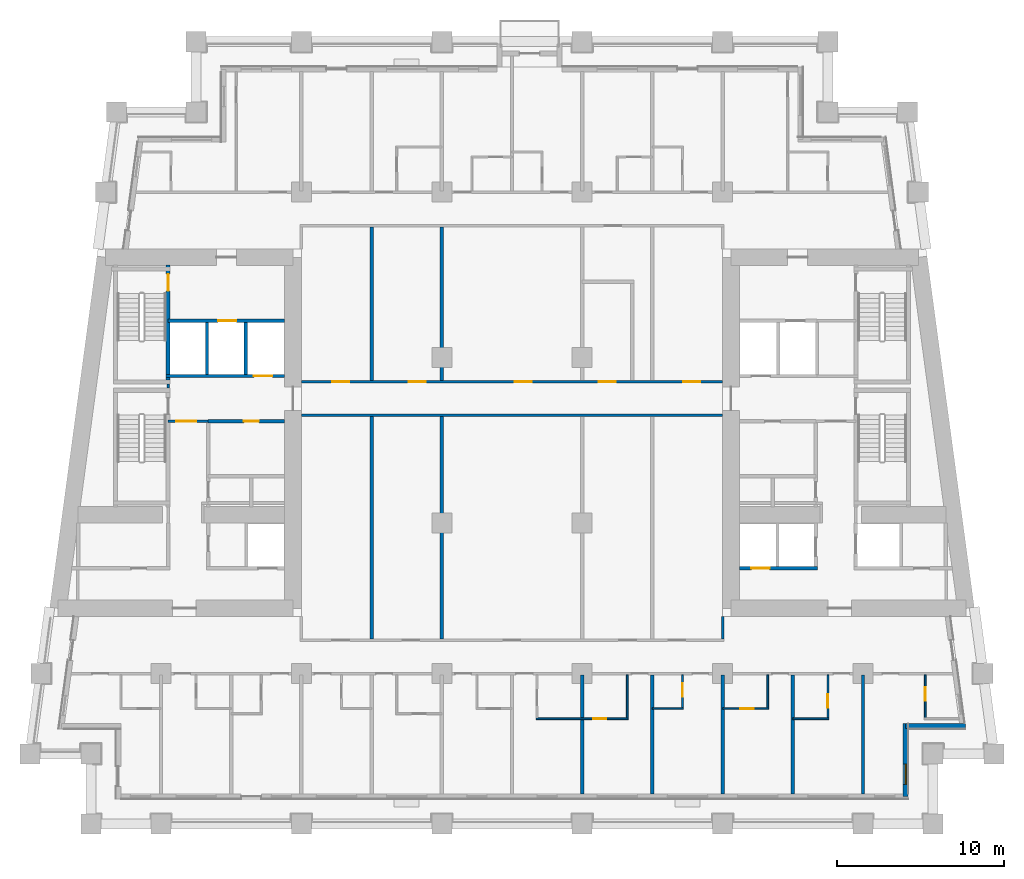
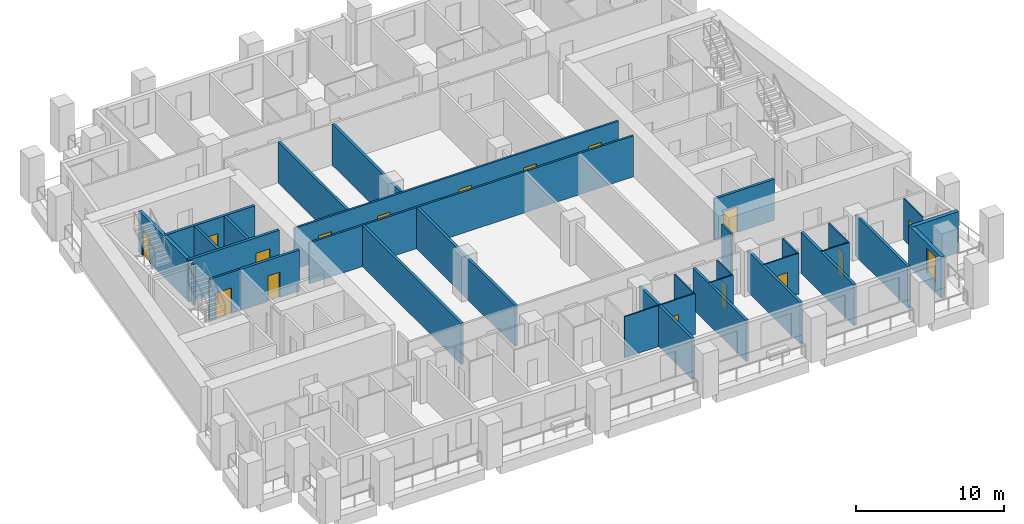
# One storey, part 5 of 14: 32 walls, 16 doors, 1 window, 17 openings.
"""IFC4 building model written with IfcOpenShell, lengths in metres."""

from ifc_helpers import new_model, si_unit, direction, frame, frame_2d, origin, place, context, subcontext, project, spatial, rectangle, extrude, material, layer, layer_set, type_object, element, fill, save


model = new_model("IFC4")

# Units and contexts
model_context = context("Model", 3, precision=1e-05, world=origin(), true_north=direction((0.0, 1.0)))
body_context = subcontext(model_context, "Body", "Model", "MODEL_VIEW")
ifc_project = project(units=[si_unit("LENGTHUNIT", "METRE"), si_unit("AREAUNIT", "SQUARE_METRE"), si_unit("VOLUMEUNIT", "CUBIC_METRE"), si_unit("PLANEANGLEUNIT", "RADIAN"), si_unit("MASSUNIT", "GRAM", prefix="KILO")], contexts=[model_context])

# Site, building, storey
site_placement = place(None, origin())
site = spatial("IfcSite", under=ifc_project, at=site_placement, CompositionType="ELEMENT")
building_placement = place(site_placement, origin())
building = spatial("IfcBuilding", under=site, at=building_placement, Name="Candeia Pilgrim Tower and Theatre", CompositionType="ELEMENT")
storey_placement = place(building_placement, frame((0.0, 0.0, 116.89990234375)))
storey = spatial("IfcBuildingStorey", under=building, at=storey_placement, Name="L27", CompositionType="ELEMENT", Elevation=116.89990234375)

# Wall, opening, window
ifc_material_1 = material(Name="Ceramic block masonry", Category="masonry")
ifc_layer_1 = layer(ifc_material_1, 0.300048828125)
ifc_layer_set_1 = layer_set([ifc_layer_1], Name="EW1 glazing-line wall 300")
wall_type_1 = type_object("IfcWallType", Name="EW1 glazing-line wall 300", PredefinedType="SOLIDWALL", material=ifc_layer_set_1)
wall_1_placement = place(storey_placement, frame((136.949951171875, 99.64990234375, 0.0), z_axis=(0.0, 0.0, 1.0), x_axis=(0.0, 1.0, 0.0)))
wall_1 = element("IfcWall", 1, at=wall_1_placement, inside=storey, type_object=wall_type_1, Name="External wall L27-1.0", PredefinedType="SOLIDWALL", context=body_context, shape_type="SweptSolid", body=[
    extrude(rectangle(XDim=4.35009765625, YDim=0.300048828125, at=frame_2d((2.175048828125, 0.0))), origin(), (0.0, 0.0, 1.0), 3.380126953125),
])
opening_1_placement = place(wall_1_placement, frame((0.72509765625, 0.0, 0.89990234375)))
opening_1 = element("IfcOpeningElement", 2, at=opening_1_placement, cuts=wall_1, Name="Opening W-B", PredefinedType="OPENING", context=body_context, shape_type="SweptSolid", body=[
    extrude(rectangle(XDim=1.199951171875, YDim=2.10009765625, at=frame_2d((0.60009765625, 1.050048828125))), frame((0.0, 0.16015625, 0.0), z_axis=(0.0, -1.0, 0.0), x_axis=(1.0, 0.0, 0.0)), (0.0, 0.0, 1.0), 0.320068359375),
])
ifc_material_2 = material(Name="Aluminium framed double glazing", Category="aluminium")
window_type = type_object("IfcWindowType", Name="W-B window 1200x2100", PartitioningType="SINGLE_PANEL", PredefinedType="WINDOW", material=ifc_material_2)
window_placement = place(opening_1_placement, origin())
window = element("IfcWindow", 3, at=window_placement, inside=storey, type_object=window_type, Name="Window W-B L27", OverallHeight=2.10009765625, OverallWidth=1.199951171875, PartitioningType="SINGLE_PANEL", PredefinedType="WINDOW", context=body_context, shape_type="SweptSolid", body=[
    extrude(rectangle(XDim=1.199951171875, YDim=2.10009765625, at=frame_2d((0.60009765625, 1.050048828125))), frame((0.0, 0.030029296875, 0.0), z_axis=(0.0, -1.0, 0.0), x_axis=(1.0, 0.0, 0.0)), (0.0, 0.0, 1.0), 0.06005859375),
])
fill(opening_1, window)

# Wall
wall_2_placement = place(storey_placement, frame((136.949951171875, 103.85009765625, 0.0), z_axis=(0.0, 0.0, 1.0), x_axis=(1.0, 0.0, 0.0)))
element("IfcWall", 4, at=wall_2_placement, inside=storey, type_object=wall_type_1, Name="External wall L27-2.0", PredefinedType="SOLIDWALL", context=body_context, shape_type="SweptSolid", body=[
    extrude(rectangle(XDim=3.569091796875, YDim=0.300048828125, at=frame_2d((1.78466796875, 0.0))), origin(), (0.0, 0.0, 1.0), 3.380126953125),
])

# Wall, opening, door
ifc_material_3 = material(Name="Gypsum board partition on steel studs", Category="steel")
ifc_layer_2 = layer(ifc_material_3, 0.10009765625)
ifc_layer_set_2 = layer_set([ifc_layer_2], Name="PW-100 room partition")
wall_type_2 = type_object("IfcWallType", Name="PW-100 room partition", PredefinedType="PARTITIONING", material=ifc_layer_set_2)
wall_3_placement = place(storey_placement, frame((114.85009765625, 104.300048828125, 0.0), z_axis=(0.0, 0.0, 1.0), x_axis=(1.0, 0.0, 0.0)))
wall_3 = element("IfcWall", 5, at=wall_3_placement, inside=storey, type_object=wall_type_2, Name="Room partition L27-001", PredefinedType="PARTITIONING", context=body_context, shape_type="SweptSolid", body=[
    extrude(rectangle(XDim=5.5, YDim=0.10009765625, at=frame_2d((2.75, 0.0))), origin(), (0.0, 0.0, 1.0), 3.380126953125),
])
opening_2_placement = place(wall_3_placement, frame((3.39990234375, 0.0, 0.0)))
opening_2 = element("IfcOpeningElement", 6, at=opening_2_placement, cuts=wall_3, Name="Opening L27-D029", PredefinedType="OPENING", context=body_context, shape_type="SweptSolid", body=[
    extrude(rectangle(XDim=0.800048828125, YDim=2.10009765625, at=frame_2d((0.39990234375, 1.050048828125))), frame((0.0, 0.06005859375, 0.0), z_axis=(0.0, -1.0, 0.0), x_axis=(1.0, 0.0, 0.0)), (0.0, 0.0, 1.0), 0.1201171875),
])
ifc_material_4 = material(Name="Timber door leaf", Category="wood")
door_type_1 = type_object("IfcDoorType", Name="D-800", OperationType="NOTDEFINED", PredefinedType="DOOR", material=ifc_material_4)
door_1_placement = place(opening_2_placement, origin())
door_1 = element("IfcDoor", 7, at=door_1_placement, inside=storey, type_object=door_type_1, Name="Door L27-D029", OperationType="SINGLE_SWING_RIGHT", OverallHeight=2.10009765625, OverallWidth=0.800048828125, PredefinedType="DOOR", context=body_context, shape_type="SweptSolid", body=[
    extrude(rectangle(XDim=0.800048828125, YDim=2.10009765625, at=frame_2d((0.39990234375, 1.050048828125))), frame((0.0, 0.02490234375, 0.0), z_axis=(0.0, -1.0, 0.0), x_axis=(1.0, 0.0, 0.0)), (0.0, 0.0, 1.0), 0.050048828125),
])
fill(opening_2, door_1)

# Walls
wall_4_placement = place(storey_placement, frame((130.199951171875, 104.300048828125, 0.0), z_axis=(0.0, 0.0, 1.0), x_axis=(1.0, 0.0, 0.0)))
element("IfcWall", 8, at=wall_4_placement, inside=storey, type_object=wall_type_2, Name="Room partition L27-002", PredefinedType="PARTITIONING", context=body_context, shape_type="SweptSolid", body=[
    extrude(rectangle(XDim=2.150146484375, YDim=0.10009765625, at=frame_2d((1.0751953125, 0.0))), origin(), (0.0, 0.0, 1.0), 3.380126953125),
])
wall_5_placement = place(storey_placement, frame((121.800048828125, 104.89990234375, 0.0), z_axis=(0.0, 0.0, 1.0), x_axis=(1.0, 0.0, 0.0)))
element("IfcWall", 9, at=wall_5_placement, inside=storey, type_object=wall_type_2, Name="Room partition L27-010", PredefinedType="PARTITIONING", context=body_context, shape_type="SweptSolid", body=[
    extrude(rectangle(XDim=1.849853515625, YDim=0.10009765625, at=frame_2d((0.9248046875, 0.0))), origin(), (0.0, 0.0, 1.0), 3.380126953125),
])

# Wall, opening, door
wall_6_placement = place(storey_placement, frame((126.0, 104.89990234375, 0.0), z_axis=(0.0, 0.0, 1.0), x_axis=(1.0, 0.0, 0.0)))
wall_6 = element("IfcWall", 10, at=wall_6_placement, inside=storey, type_object=wall_type_2, Name="Room partition L27-011", PredefinedType="PARTITIONING", context=body_context, shape_type="SweptSolid", body=[
    extrude(rectangle(XDim=2.75, YDim=0.10009765625, at=frame_2d((1.375, 0.0))), origin(), (0.0, 0.0, 1.0), 3.380126953125),
])
opening_3_placement = place(wall_6_placement, frame((1.070068359375, 0.0, 0.0)))
opening_3 = element("IfcOpeningElement", 11, at=opening_3_placement, cuts=wall_6, Name="Opening L27-D033", PredefinedType="OPENING", context=body_context, shape_type="SweptSolid", body=[
    extrude(rectangle(XDim=0.800048828125, YDim=2.10009765625, at=frame_2d((0.39990234375, 1.050048828125))), frame((0.0, 0.06005859375, 0.0), z_axis=(0.0, -1.0, 0.0), x_axis=(1.0, 0.0, 0.0)), (0.0, 0.0, 1.0), 0.1201171875),
])
door_2_placement = place(opening_3_placement, origin())
door_2 = element("IfcDoor", 12, at=door_2_placement, inside=storey, type_object=door_type_1, Name="Door L27-D033", OperationType="SINGLE_SWING_RIGHT", OverallHeight=2.10009765625, OverallWidth=0.800048828125, PredefinedType="DOOR", context=body_context, shape_type="SweptSolid", body=[
    extrude(rectangle(XDim=0.800048828125, YDim=2.10009765625, at=frame_2d((0.39990234375, 1.050048828125))), frame((0.0, 0.02490234375, 0.0), z_axis=(0.0, -1.0, 0.0), x_axis=(1.0, 0.0, 0.0)), (0.0, 0.0, 1.0), 0.050048828125),
])
fill(opening_3, door_2)

# Wall
wall_7_placement = place(storey_placement, frame((120.300048828125, 104.35009765625, 0.0), z_axis=(0.0, 0.0, 1.0), x_axis=(0.0, 1.0, 0.0)))
element("IfcWall", 13, at=wall_7_placement, inside=storey, type_object=wall_type_2, Name="Room partition L27-103", PredefinedType="PARTITIONING", context=body_context, shape_type="SweptSolid", body=[
    extrude(rectangle(XDim=2.574951171875, YDim=0.10009765625, at=frame_2d((1.28759765625, 0.0))), origin(), (0.0, 0.0, 1.0), 3.380126953125),
])

# Wall, opening, door
wall_8_placement = place(storey_placement, frame((123.60009765625, 104.949951171875, 0.0), z_axis=(0.0, 0.0, 1.0), x_axis=(0.0, 1.0, 0.0)))
wall_8 = element("IfcWall", 14, at=wall_8_placement, inside=storey, type_object=wall_type_2, Name="Room partition L27-109", PredefinedType="PARTITIONING", context=body_context, shape_type="SweptSolid", body=[
    extrude(rectangle(XDim=1.97509765625, YDim=0.10009765625, at=frame_2d((0.987548828125, 0.0))), origin(), (0.0, 0.0, 1.0), 3.380126953125),
])
opening_4_placement = place(wall_8_placement, frame((0.659912109375, 0.0, 0.0)))
opening_4 = element("IfcOpeningElement", 15, at=opening_4_placement, cuts=wall_8, Name="Opening L27-D031", PredefinedType="OPENING", context=body_context, shape_type="SweptSolid", body=[
    extrude(rectangle(XDim=0.800048828125, YDim=2.10009765625, at=frame_2d((0.39990234375, 1.050048828125))), frame((0.0, 0.06005859375, 0.0), z_axis=(0.0, -1.0, 0.0), x_axis=(1.0, 0.0, 0.0)), (0.0, 0.0, 1.0), 0.1201171875),
])
door_3_placement = place(opening_4_placement, origin())
door_3 = element("IfcDoor", 16, at=door_3_placement, inside=storey, type_object=door_type_1, Name="Door L27-D031", OperationType="SINGLE_SWING_RIGHT", OverallHeight=2.10009765625, OverallWidth=0.800048828125, PredefinedType="DOOR", context=body_context, shape_type="SweptSolid", body=[
    extrude(rectangle(XDim=0.800048828125, YDim=2.10009765625, at=frame_2d((0.39990234375, 1.050048828125))), frame((0.0, 0.02490234375, 0.0), z_axis=(0.0, -1.0, 0.0), x_axis=(1.0, 0.0, 0.0)), (0.0, 0.0, 1.0), 0.050048828125),
])
fill(opening_4, door_3)

# Wall
wall_9_placement = place(storey_placement, frame((128.699951171875, 104.949951171875, 0.0), z_axis=(0.0, 0.0, 1.0), x_axis=(0.0, 1.0, 0.0)))
element("IfcWall", 17, at=wall_9_placement, inside=storey, type_object=wall_type_2, Name="Room partition L27-115", PredefinedType="PARTITIONING", context=body_context, shape_type="SweptSolid", body=[
    extrude(rectangle(XDim=1.97509765625, YDim=0.10009765625, at=frame_2d((0.987548828125, 0.0))), origin(), (0.0, 0.0, 1.0), 3.380126953125),
])

# Wall, opening, door
wall_10_placement = place(storey_placement, frame((132.300048828125, 104.35009765625, 0.0), z_axis=(0.0, 0.0, 1.0), x_axis=(0.0, 1.0, 0.0)))
wall_10 = element("IfcWall", 18, at=wall_10_placement, inside=storey, type_object=wall_type_2, Name="Room partition L27-125", PredefinedType="PARTITIONING", context=body_context, shape_type="SweptSolid", body=[
    extrude(rectangle(XDim=2.574951171875, YDim=0.10009765625, at=frame_2d((1.28759765625, 0.0))), origin(), (0.0, 0.0, 1.0), 3.380126953125),
])
opening_5_placement = place(wall_10_placement, frame((0.60009765625, 0.0, 0.0)))
opening_5 = element("IfcOpeningElement", 19, at=opening_5_placement, cuts=wall_10, Name="Opening L27-D035", PredefinedType="OPENING", context=body_context, shape_type="SweptSolid", body=[
    extrude(rectangle(XDim=0.800048828125, YDim=2.10009765625, at=frame_2d((0.39990234375, 1.050048828125))), frame((0.0, 0.06005859375, 0.0), z_axis=(0.0, -1.0, 0.0), x_axis=(1.0, 0.0, 0.0)), (0.0, 0.0, 1.0), 0.1201171875),
])
door_4_placement = place(opening_5_placement, origin())
door_4 = element("IfcDoor", 20, at=door_4_placement, inside=storey, type_object=door_type_1, Name="Door L27-D035", OperationType="SINGLE_SWING_RIGHT", OverallHeight=2.10009765625, OverallWidth=0.800048828125, PredefinedType="DOOR", context=body_context, shape_type="SweptSolid", body=[
    extrude(rectangle(XDim=0.800048828125, YDim=2.10009765625, at=frame_2d((0.39990234375, 1.050048828125))), frame((0.0, 0.02490234375, 0.0), z_axis=(0.0, -1.0, 0.0), x_axis=(1.0, 0.0, 0.0)), (0.0, 0.0, 1.0), 0.050048828125),
])
fill(opening_5, door_4)

wall_11_placement = place(storey_placement, frame((138.1201171875, 104.35009765625, 0.0), z_axis=(0.0, 0.0, 1.0), x_axis=(0.0, 1.0, 0.0)))
wall_11 = element("IfcWall", 21, at=wall_11_placement, inside=storey, type_object=wall_type_2, Name="Room partition L27-136", PredefinedType="PARTITIONING", context=body_context, shape_type="SweptSolid", body=[
    extrude(rectangle(XDim=2.574951171875, YDim=0.10009765625, at=frame_2d((1.28759765625, 0.0))), origin(), (0.0, 0.0, 1.0), 3.380126953125),
])
opening_6_placement = place(wall_11_placement, frame((1.02001953125, 0.0, 0.0)))
opening_6 = element("IfcOpeningElement", 22, at=opening_6_placement, cuts=wall_11, Name="Opening L27-D037", PredefinedType="OPENING", context=body_context, shape_type="SweptSolid", body=[
    extrude(rectangle(XDim=0.800048828125, YDim=2.10009765625, at=frame_2d((0.39990234375, 1.050048828125))), frame((0.0, 0.06005859375, 0.0), z_axis=(0.0, -1.0, 0.0), x_axis=(1.0, 0.0, 0.0)), (0.0, 0.0, 1.0), 0.1201171875),
])
door_5_placement = place(opening_6_placement, origin())
door_5 = element("IfcDoor", 23, at=door_5_placement, inside=storey, type_object=door_type_1, Name="Door L27-D037", OperationType="SINGLE_SWING_RIGHT", OverallHeight=2.10009765625, OverallWidth=0.800048828125, PredefinedType="DOOR", context=body_context, shape_type="SweptSolid", body=[
    extrude(rectangle(XDim=0.800048828125, YDim=2.10009765625, at=frame_2d((0.39990234375, 1.050048828125))), frame((0.0, 0.02490234375, 0.0), z_axis=(0.0, -1.0, 0.0), x_axis=(1.0, 0.0, 0.0)), (0.0, 0.0, 1.0), 0.050048828125),
])
fill(opening_6, door_5)

ifc_layer_3 = layer(ifc_material_3, 0.14990234375)
ifc_layer_set_3 = layer_set([ifc_layer_3], Name="PW-150 lobby wall")
wall_type_3 = type_object("IfcWallType", Name="PW-150 lobby wall", PredefinedType="PARTITIONING", material=ifc_layer_set_3)
wall_12_placement = place(storey_placement, frame((92.826904296875, 122.10009765625, 0.0), z_axis=(0.0, 0.0, 1.0), x_axis=(1.0, 0.0, 0.0)))
wall_12 = element("IfcWall", 24, at=wall_12_placement, inside=storey, type_object=wall_type_3, Name="Lobby wall L27-028", PredefinedType="PARTITIONING", context=body_context, shape_type="SweptSolid", body=[
    extrude(rectangle(XDim=2.400146484375, YDim=0.14990234375, at=frame_2d((1.2001953125, 0.0))), origin(), (0.0, 0.0, 1.0), 3.380126953125),
])
opening_7_placement = place(wall_12_placement, frame((0.47509765625, 0.0, 0.0)))
opening_7 = element("IfcOpeningElement", 25, at=opening_7_placement, cuts=wall_12, Name="Opening L27-D001", PredefinedType="OPENING", context=body_context, shape_type="SweptSolid", body=[
    extrude(rectangle(XDim=1.199951171875, YDim=2.10009765625, at=frame_2d((0.60009765625, 1.050048828125))), frame((0.0, 0.0849609375, 0.0), z_axis=(0.0, -1.0, 0.0), x_axis=(1.0, 0.0, 0.0)), (0.0, 0.0, 1.0), 0.169921875),
])
ifc_material_5 = material(Name="Steel fire door set", Category="steel")
door_type_2 = type_object("IfcDoorType", Name="D-1200-FD60", OperationType="NOTDEFINED", PredefinedType="DOOR", material=ifc_material_5)
door_6_placement = place(opening_7_placement, origin())
door_6 = element("IfcDoor", 26, at=door_6_placement, inside=storey, type_object=door_type_2, Name="Door L27-D001", OperationType="SINGLE_SWING_RIGHT", OverallHeight=2.10009765625, OverallWidth=1.199951171875, PredefinedType="DOOR", context=body_context, shape_type="SweptSolid", body=[
    extrude(rectangle(XDim=1.199951171875, YDim=2.10009765625, at=frame_2d((0.60009765625, 1.050048828125))), frame((0.0, 0.02490234375, 0.0), z_axis=(0.0, -1.0, 0.0), x_axis=(1.0, 0.0, 0.0)), (0.0, 0.0, 1.0), 0.050048828125),
])
fill(opening_7, door_6)

# Walls
wall_13_placement = place(storey_placement, frame((92.826904296875, 124.074951171875, 0.0), z_axis=(0.0, 0.0, 1.0), x_axis=(0.0, 1.0, 0.0)))
element("IfcWall", 27, at=wall_13_placement, inside=storey, type_object=wall_type_3, Name="Lobby wall L27-062", PredefinedType="PARTITIONING", context=body_context, shape_type="SweptSolid", body=[
    extrude(rectangle(XDim=0.25, YDim=0.14990234375, at=frame_2d((0.125, 0.0))), origin(), (0.0, 0.0, 1.0), 3.380126953125),
])
ifc_layer_4 = layer(ifc_material_3, 0.14990234375)
ifc_layer_set_4 = layer_set([ifc_layer_4], Name="PW-150 unit wall")
wall_type_4 = type_object("IfcWallType", Name="PW-150 unit wall", PredefinedType="PARTITIONING", material=ifc_layer_set_4)
wall_14_placement = place(storey_placement, frame((100.800048828125, 122.449951171875, 0.0), z_axis=(0.0, 0.0, 1.0), x_axis=(1.0, 0.0, 0.0)))
element("IfcWall", 28, at=wall_14_placement, inside=storey, type_object=wall_type_4, Name="Unit wall L27-030", PredefinedType="PARTITIONING", context=body_context, shape_type="SweptSolid", body=[
    extrude(rectangle(XDim=25.199951171875, YDim=0.14990234375, at=frame_2d((12.60009765625, 0.0))), origin(), (0.0, 0.0, 1.0), 3.380126953125),
])

# Wall, openings, doors
wall_15_placement = place(storey_placement, frame((100.800048828125, 124.449951171875, 0.0), z_axis=(0.0, 0.0, 1.0), x_axis=(1.0, 0.0, 0.0)))
wall_15 = element("IfcWall", 29, at=wall_15_placement, inside=storey, type_object=wall_type_4, Name="Unit wall L27-035", PredefinedType="PARTITIONING", context=body_context, shape_type="SweptSolid", body=[
    extrude(rectangle(XDim=25.199951171875, YDim=0.14990234375, at=frame_2d((12.60009765625, 0.0))), origin(), (0.0, 0.0, 1.0), 3.380126953125),
])
opening_8_placement = place(wall_15_placement, frame((1.85009765625, 0.0, 0.0)))
opening_8 = element("IfcOpeningElement", 30, at=opening_8_placement, cuts=wall_15, Name="Opening L27-D061", PredefinedType="OPENING", context=body_context, shape_type="SweptSolid", body=[
    extrude(rectangle(XDim=1.0, YDim=2.10009765625, at=frame_2d((0.5, 1.050048828125))), frame((0.0, 0.0849609375, 0.0), z_axis=(0.0, -1.0, 0.0), x_axis=(1.0, 0.0, 0.0)), (0.0, 0.0, 1.0), 0.169921875),
])
opening_9_placement = place(wall_15_placement, frame((6.425048828125, 0.0, 0.0)))
opening_9 = element("IfcOpeningElement", 31, at=opening_9_placement, cuts=wall_15, Name="Opening L27-D062", PredefinedType="OPENING", context=body_context, shape_type="SweptSolid", body=[
    extrude(rectangle(XDim=1.0, YDim=2.10009765625, at=frame_2d((0.5, 1.050048828125))), frame((0.0, 0.0849609375, 0.0), z_axis=(0.0, -1.0, 0.0), x_axis=(1.0, 0.0, 0.0)), (0.0, 0.0, 1.0), 0.169921875),
])
opening_10_placement = place(wall_15_placement, frame((12.77001953125, 0.0, 0.0)))
opening_10 = element("IfcOpeningElement", 32, at=opening_10_placement, cuts=wall_15, Name="Opening L27-D063", PredefinedType="OPENING", context=body_context, shape_type="SweptSolid", body=[
    extrude(rectangle(XDim=1.0, YDim=2.10009765625, at=frame_2d((0.5, 1.050048828125))), frame((0.0, 0.0849609375, 0.0), z_axis=(0.0, -1.0, 0.0), x_axis=(1.0, 0.0, 0.0)), (0.0, 0.0, 1.0), 0.169921875),
])
opening_11_placement = place(wall_15_placement, frame((17.800048828125, 0.0, 0.0)))
opening_11 = element("IfcOpeningElement", 33, at=opening_11_placement, cuts=wall_15, Name="Opening L27-D064", PredefinedType="OPENING", context=body_context, shape_type="SweptSolid", body=[
    extrude(rectangle(XDim=1.0, YDim=2.10009765625, at=frame_2d((0.5, 1.050048828125))), frame((0.0, 0.0849609375, 0.0), z_axis=(0.0, -1.0, 0.0), x_axis=(1.0, 0.0, 0.0)), (0.0, 0.0, 1.0), 0.169921875),
])
opening_12_placement = place(wall_15_placement, frame((22.85009765625, 0.0, 0.0)))
opening_12 = element("IfcOpeningElement", 34, at=opening_12_placement, cuts=wall_15, Name="Opening L27-D065", PredefinedType="OPENING", context=body_context, shape_type="SweptSolid", body=[
    extrude(rectangle(XDim=1.0, YDim=2.10009765625, at=frame_2d((0.5, 1.050048828125))), frame((0.0, 0.0849609375, 0.0), z_axis=(0.0, -1.0, 0.0), x_axis=(1.0, 0.0, 0.0)), (0.0, 0.0, 1.0), 0.169921875),
])
door_type_3 = type_object("IfcDoorType", Name="D-1000-FD30S", OperationType="NOTDEFINED", PredefinedType="DOOR", material=ifc_material_5)
door_7_placement = place(opening_8_placement, origin())
door_7 = element("IfcDoor", 35, at=door_7_placement, inside=storey, type_object=door_type_3, Name="Door L27-D061", OperationType="SINGLE_SWING_RIGHT", OverallHeight=2.10009765625, OverallWidth=1.0, PredefinedType="DOOR", context=body_context, shape_type="SweptSolid", body=[
    extrude(rectangle(XDim=1.0, YDim=2.10009765625, at=frame_2d((0.5, 1.050048828125))), frame((0.0, 0.02490234375, 0.0), z_axis=(0.0, -1.0, 0.0), x_axis=(1.0, 0.0, 0.0)), (0.0, 0.0, 1.0), 0.050048828125),
])
fill(opening_8, door_7)
door_8_placement = place(opening_9_placement, origin())
door_8 = element("IfcDoor", 36, at=door_8_placement, inside=storey, type_object=door_type_3, Name="Door L27-D062", OperationType="SINGLE_SWING_LEFT", OverallHeight=2.10009765625, OverallWidth=1.0, PredefinedType="DOOR", context=body_context, shape_type="SweptSolid", body=[
    extrude(rectangle(XDim=1.0, YDim=2.10009765625, at=frame_2d((0.5, 1.050048828125))), frame((0.0, 0.02490234375, 0.0), z_axis=(0.0, -1.0, 0.0), x_axis=(1.0, 0.0, 0.0)), (0.0, 0.0, 1.0), 0.050048828125),
])
fill(opening_9, door_8)
door_9_placement = place(opening_10_placement, origin())
door_9 = element("IfcDoor", 37, at=door_9_placement, inside=storey, type_object=door_type_3, Name="Door L27-D063", OperationType="SINGLE_SWING_RIGHT", OverallHeight=2.10009765625, OverallWidth=1.0, PredefinedType="DOOR", context=body_context, shape_type="SweptSolid", body=[
    extrude(rectangle(XDim=1.0, YDim=2.10009765625, at=frame_2d((0.5, 1.050048828125))), frame((0.0, 0.02490234375, 0.0), z_axis=(0.0, -1.0, 0.0), x_axis=(1.0, 0.0, 0.0)), (0.0, 0.0, 1.0), 0.050048828125),
])
fill(opening_10, door_9)
door_10_placement = place(opening_11_placement, origin())
door_10 = element("IfcDoor", 38, at=door_10_placement, inside=storey, type_object=door_type_3, Name="Door L27-D064", OperationType="SINGLE_SWING_LEFT", OverallHeight=2.10009765625, OverallWidth=1.0, PredefinedType="DOOR", context=body_context, shape_type="SweptSolid", body=[
    extrude(rectangle(XDim=1.0, YDim=2.10009765625, at=frame_2d((0.5, 1.050048828125))), frame((0.0, 0.02490234375, 0.0), z_axis=(0.0, -1.0, 0.0), x_axis=(1.0, 0.0, 0.0)), (0.0, 0.0, 1.0), 0.050048828125),
])
fill(opening_11, door_10)
door_11_placement = place(opening_12_placement, origin())
door_11 = element("IfcDoor", 39, at=door_11_placement, inside=storey, type_object=door_type_3, Name="Door L27-D065", OperationType="SINGLE_SWING_RIGHT", OverallHeight=2.10009765625, OverallWidth=1.0, PredefinedType="DOOR", context=body_context, shape_type="SweptSolid", body=[
    extrude(rectangle(XDim=1.0, YDim=2.10009765625, at=frame_2d((0.5, 1.050048828125))), frame((0.0, 0.02490234375, 0.0), z_axis=(0.0, -1.0, 0.0), x_axis=(1.0, 0.0, 0.0)), (0.0, 0.0, 1.0), 0.050048828125),
])
fill(opening_12, door_11)

# Walls
wall_16_placement = place(storey_placement, frame((126.0, 109.074951171875, 0.0), z_axis=(0.0, 0.0, 1.0), x_axis=(0.0, 1.0, 0.0)))
element("IfcWall", 40, at=wall_16_placement, inside=storey, type_object=wall_type_4, Name="Unit wall L27-113", PredefinedType="PARTITIONING", context=body_context, shape_type="SweptSolid", body=[
    extrude(rectangle(XDim=1.324951171875, YDim=0.14990234375, at=frame_2d((0.66259765625, 0.0))), origin(), (0.0, 0.0, 1.0), 3.380126953125),
])
ifc_layer_5 = layer(ifc_material_3, 0.199951171875)
ifc_layer_set_5 = layer_set([ifc_layer_5], Name="PW-200 party wall")
wall_type_5 = type_object("IfcWallType", Name="PW-200 party wall", PredefinedType="PARTITIONING", material=ifc_layer_set_5)
wall_17_placement = place(storey_placement, frame((105.0, 109.074951171875, 0.0), z_axis=(0.0, 0.0, 1.0), x_axis=(0.0, 1.0, 0.0)))
element("IfcWall", 41, at=wall_17_placement, inside=storey, type_object=wall_type_5, Name="Party wall L27-083", PredefinedType="PARTITIONING", context=body_context, shape_type="SweptSolid", body=[
    extrude(rectangle(XDim=13.300048828125, YDim=0.199951171875, at=frame_2d((6.64990234375, 0.0))), origin(), (0.0, 0.0, 1.0), 3.380126953125),
])
wall_18_placement = place(storey_placement, frame((105.0, 124.52490234375, 0.0), z_axis=(0.0, 0.0, 1.0), x_axis=(0.0, 1.0, 0.0)))
element("IfcWall", 42, at=wall_18_placement, inside=storey, type_object=wall_type_5, Name="Party wall L27-084", PredefinedType="PARTITIONING", context=body_context, shape_type="SweptSolid", body=[
    extrude(rectangle(XDim=9.2001953125, YDim=0.199951171875, at=frame_2d((4.60009765625, 0.0))), origin(), (0.0, 0.0, 1.0), 3.380126953125),
])
wall_19_placement = place(storey_placement, frame((109.199951171875, 109.074951171875, 0.0), z_axis=(0.0, 0.0, 1.0), x_axis=(0.0, 1.0, 0.0)))
element("IfcWall", 43, at=wall_19_placement, inside=storey, type_object=wall_type_5, Name="Party wall L27-089", PredefinedType="PARTITIONING", context=body_context, shape_type="SweptSolid", body=[
    extrude(rectangle(XDim=13.300048828125, YDim=0.199951171875, at=frame_2d((6.64990234375, 0.0))), origin(), (0.0, 0.0, 1.0), 3.380126953125),
])
wall_20_placement = place(storey_placement, frame((109.199951171875, 124.52490234375, 0.0), z_axis=(0.0, 0.0, 1.0), x_axis=(0.0, 1.0, 0.0)))
element("IfcWall", 44, at=wall_20_placement, inside=storey, type_object=wall_type_5, Name="Party wall L27-090", PredefinedType="PARTITIONING", context=body_context, shape_type="SweptSolid", body=[
    extrude(rectangle(XDim=9.2001953125, YDim=0.199951171875, at=frame_2d((4.60009765625, 0.0))), origin(), (0.0, 0.0, 1.0), 3.380126953125),
])
for number, where, z_axis, x_axis, name in (
    (45, (117.60009765625, 99.7900390625, 0.0), (0.0, 0.0, 1.0), (0.0, 1.0, 0.0), "Party wall L27-098"),
    (46, (121.800048828125, 99.7900390625, 0.0), (0.0, 0.0, 1.0), (0.0, 1.0, 0.0), "Party wall L27-105"),
    (47, (126.0, 99.7900390625, 0.0), (0.0, 0.0, 1.0), (0.0, 1.0, 0.0), "Party wall L27-111"),
    (48, (130.199951171875, 99.7900390625, 0.0), (0.0, 0.0, 1.0), (0.0, 1.0, 0.0), "Party wall L27-120"),
    (49, (134.39990234375, 99.7900390625, 0.0), (0.0, 0.0, 1.0), (0.0, 1.0, 0.0), "Party wall L27-132"),
):
    element("IfcWall", number, at=place(storey_placement, frame(where, z_axis=z_axis, x_axis=x_axis)), inside=storey, type_object=wall_type_5, Name=name, PredefinedType="PARTITIONING", context=body_context, shape_type="SweptSolid", body=[
        extrude(rectangle(XDim=7.135009765625, YDim=0.199951171875, at=frame_2d((3.5673828125, 0.0))), origin(), (0.0, 0.0, 1.0), 3.380126953125),
    ])

# Wall, opening, door
ifc_material_6 = material(Name="Concrete C40/50", Category="concrete")
ifc_layer_6 = layer(ifc_material_6, 0.199951171875)
ifc_layer_set_6 = layer_set([ifc_layer_6], Name="SW-200 shaft wall")
wall_type_6 = type_object("IfcWallType", Name="SW-200 shaft wall", PredefinedType="PARTITIONING", material=ifc_layer_set_6)
wall_21_placement = place(storey_placement, frame((127.0, 113.300048828125, 0.0), z_axis=(0.0, 0.0, 1.0), x_axis=(1.0, 0.0, 0.0)))
wall_21 = element("IfcWall", 50, at=wall_21_placement, inside=storey, type_object=wall_type_6, Name="Shaft wall L27-016", PredefinedType="PARTITIONING", context=body_context, shape_type="SweptSolid", body=[
    extrude(rectangle(XDim=4.673095703125, YDim=0.199951171875, at=frame_2d((2.33642578125, 0.0))), origin(), (0.0, 0.0, 1.0), 3.380126953125),
])
opening_13_placement = place(wall_21_placement, frame((0.715087890625, 0.0, 0.0)))
opening_13 = element("IfcOpeningElement", 51, at=opening_13_placement, cuts=wall_21, Name="Opening L27-LD08", PredefinedType="OPENING", context=body_context, shape_type="SweptSolid", body=[
    extrude(rectangle(XDim=1.10009765625, YDim=2.10009765625, at=frame_2d((0.550048828125, 1.050048828125))), frame((0.0, 0.10986328125, 0.0), z_axis=(0.0, -1.0, 0.0), x_axis=(1.0, 0.0, 0.0)), (0.0, 0.0, 1.0), 0.219970703125),
])
ifc_material_7 = material(Name="Glazed aluminium landing door", Category="aluminium")
door_type_4 = type_object("IfcDoorType", Name="LD-1100-EI120", OperationType="SLIDING_TO_LEFT", PredefinedType="DOOR", material=ifc_material_7)
door_12_placement = place(opening_13_placement, origin())
door_12 = element("IfcDoor", 52, at=door_12_placement, inside=storey, type_object=door_type_4, Name="Landing door 08 L27", OperationType="SLIDING_TO_LEFT", OverallHeight=2.10009765625, OverallWidth=1.10009765625, PredefinedType="DOOR", context=body_context, shape_type="SweptSolid", body=[
    extrude(rectangle(XDim=1.10009765625, YDim=2.10009765625, at=frame_2d((0.550048828125, 1.050048828125))), frame((0.0, 0.02490234375, 0.0), z_axis=(0.0, -1.0, 0.0), x_axis=(1.0, 0.0, 0.0)), (0.0, 0.0, 1.0), 0.050048828125),
])
fill(opening_13, door_12)

wall_22_placement = place(storey_placement, frame((95.22705078125, 122.10009765625, 0.0), z_axis=(0.0, 0.0, 1.0), x_axis=(1.0, 0.0, 0.0)))
wall_22 = element("IfcWall", 53, at=wall_22_placement, inside=storey, type_object=wall_type_6, Name="Shaft wall L27-026", PredefinedType="PARTITIONING", context=body_context, shape_type="SweptSolid", body=[
    extrude(rectangle(XDim=4.572998046875, YDim=0.199951171875, at=frame_2d((2.28662109375, 0.0))), origin(), (0.0, 0.0, 1.0), 3.380126953125),
])
opening_14_placement = place(wall_22_placement, frame((2.134033203125, 0.0, 0.0)))
opening_14 = element("IfcOpeningElement", 54, at=opening_14_placement, cuts=wall_22, Name="Opening L27-D002", PredefinedType="OPENING", context=body_context, shape_type="SweptSolid", body=[
    extrude(rectangle(XDim=0.89990234375, YDim=2.10009765625, at=frame_2d((0.449951171875, 1.050048828125))), frame((0.0, 0.10986328125, 0.0), z_axis=(0.0, -1.0, 0.0), x_axis=(1.0, 0.0, 0.0)), (0.0, 0.0, 1.0), 0.219970703125),
])
door_type_5 = type_object("IfcDoorType", Name="D-900-FD60", OperationType="NOTDEFINED", PredefinedType="DOOR", material=ifc_material_5)
door_13_placement = place(opening_14_placement, origin())
door_13 = element("IfcDoor", 55, at=door_13_placement, inside=storey, type_object=door_type_5, Name="Door L27-D002", OperationType="SINGLE_SWING_LEFT", OverallHeight=2.10009765625, OverallWidth=0.89990234375, PredefinedType="DOOR", context=body_context, shape_type="SweptSolid", body=[
    extrude(rectangle(XDim=0.89990234375, YDim=2.10009765625, at=frame_2d((0.449951171875, 1.050048828125))), frame((0.0, 0.02490234375, 0.0), z_axis=(0.0, -1.0, 0.0), x_axis=(1.0, 0.0, 0.0)), (0.0, 0.0, 1.0), 0.050048828125),
])
fill(opening_14, door_13)

wall_23_placement = place(storey_placement, frame((92.701904296875, 124.800048828125, 0.0), z_axis=(0.0, 0.0, 1.0), x_axis=(1.0, 0.0, 0.0)))
wall_23 = element("IfcWall", 56, at=wall_23_placement, inside=storey, type_object=wall_type_6, Name="Shaft wall L27-036", PredefinedType="PARTITIONING", context=body_context, shape_type="SweptSolid", body=[
    extrude(rectangle(XDim=7.09814453125, YDim=0.199951171875, at=frame_2d((3.549072265625, 0.0))), origin(), (0.0, 0.0, 1.0), 3.380126953125),
])
opening_15_placement = place(wall_23_placement, frame((5.2548828125, 0.0, 0.0)))
opening_15 = element("IfcOpeningElement", 57, at=opening_15_placement, cuts=wall_23, Name="Opening L27-LD02", PredefinedType="OPENING", context=body_context, shape_type="SweptSolid", body=[
    extrude(rectangle(XDim=1.10009765625, YDim=2.10009765625, at=frame_2d((0.550048828125, 1.050048828125))), frame((0.0, 0.10986328125, 0.0), z_axis=(0.0, -1.0, 0.0), x_axis=(1.0, 0.0, 0.0)), (0.0, 0.0, 1.0), 0.219970703125),
])
door_14_placement = place(opening_15_placement, origin())
door_14 = element("IfcDoor", 58, at=door_14_placement, inside=storey, type_object=door_type_4, Name="Landing door 02 L27", OperationType="SLIDING_TO_LEFT", OverallHeight=2.10009765625, OverallWidth=1.10009765625, PredefinedType="DOOR", context=body_context, shape_type="SweptSolid", body=[
    extrude(rectangle(XDim=1.10009765625, YDim=2.10009765625, at=frame_2d((0.550048828125, 1.050048828125))), frame((0.0, 0.02490234375, 0.0), z_axis=(0.0, -1.0, 0.0), x_axis=(1.0, 0.0, 0.0)), (0.0, 0.0, 1.0), 0.050048828125),
])
fill(opening_15, door_14)

wall_24_placement = place(storey_placement, frame((92.826904296875, 128.10009765625, 0.0), z_axis=(0.0, 0.0, 1.0), x_axis=(1.0, 0.0, 0.0)))
wall_24 = element("IfcWall", 59, at=wall_24_placement, inside=storey, type_object=wall_type_6, Name="Shaft wall L27-039", PredefinedType="PARTITIONING", context=body_context, shape_type="SweptSolid", body=[
    extrude(rectangle(XDim=6.97314453125, YDim=0.199951171875, at=frame_2d((3.486572265625, 0.0))), origin(), (0.0, 0.0, 1.0), 3.380126953125),
])
opening_16_placement = place(wall_24_placement, frame((2.989013671875, 0.0, 0.0)))
opening_16 = element("IfcOpeningElement", 60, at=opening_16_placement, cuts=wall_24, Name="Opening L27-LD01", PredefinedType="OPENING", context=body_context, shape_type="SweptSolid", body=[
    extrude(rectangle(XDim=1.10009765625, YDim=2.10009765625, at=frame_2d((0.550048828125, 1.050048828125))), frame((0.0, 0.10986328125, 0.0), z_axis=(0.0, -1.0, 0.0), x_axis=(1.0, 0.0, 0.0)), (0.0, 0.0, 1.0), 0.219970703125),
])
door_15_placement = place(opening_16_placement, origin())
door_15 = element("IfcDoor", 61, at=door_15_placement, inside=storey, type_object=door_type_4, Name="Landing door 01 L27", OperationType="SLIDING_TO_LEFT", OverallHeight=2.10009765625, OverallWidth=1.10009765625, PredefinedType="DOOR", context=body_context, shape_type="SweptSolid", body=[
    extrude(rectangle(XDim=1.10009765625, YDim=2.10009765625, at=frame_2d((0.550048828125, 1.050048828125))), frame((0.0, 0.02490234375, 0.0), z_axis=(0.0, -1.0, 0.0), x_axis=(1.0, 0.0, 0.0)), (0.0, 0.0, 1.0), 0.050048828125),
])
fill(opening_16, door_15)

# Walls
for number, where, z_axis, x_axis, name in (
    (62, (95.1513671875, 124.89990234375, 0.0), (0.0, 0.0, 1.0), (0.0, 1.0, 0.0), "Shaft wall L27-068"),
    (63, (97.4755859375, 124.89990234375, 0.0), (0.0, 0.0, 1.0), (0.0, 1.0, 0.0), "Shaft wall L27-073"),
):
    element("IfcWall", number, at=place(storey_placement, frame(where, z_axis=z_axis, x_axis=x_axis)), inside=storey, type_object=wall_type_6, Name=name, PredefinedType="PARTITIONING", context=body_context, shape_type="SweptSolid", body=[
        extrude(rectangle(XDim=3.10009765625, YDim=0.199951171875, at=frame_2d((1.550048828125, 0.0))), origin(), (0.0, 0.0, 1.0), 3.380126953125),
    ])

# Wall, opening, door
ifc_layer_7 = layer(ifc_material_6, 0.25)
ifc_layer_set_7 = layer_set([ifc_layer_7], Name="SW-250 stair wall")
wall_type_7 = type_object("IfcWallType", Name="SW-250 stair wall", PredefinedType="PARTITIONING", material=ifc_layer_set_7)
wall_25_placement = place(storey_placement, frame((92.826904296875, 124.574951171875, 0.0), z_axis=(0.0, 0.0, 1.0), x_axis=(0.0, 1.0, 0.0)))
wall_25 = element("IfcWall", 64, at=wall_25_placement, inside=storey, type_object=wall_type_7, Name="Stair wall L27-064", PredefinedType="PARTITIONING", context=body_context, shape_type="SweptSolid", body=[
    extrude(rectangle(XDim=6.85498046875, YDim=0.25, at=frame_2d((3.427490234375, 0.0))), origin(), (0.0, 0.0, 1.0), 3.380126953125),
])
opening_17_placement = place(wall_25_placement, frame((5.324951171875, 0.0, 0.0)))
opening_17 = element("IfcOpeningElement", 65, at=opening_17_placement, cuts=wall_25, Name="Opening L27-D004", PredefinedType="OPENING", context=body_context, shape_type="SweptSolid", body=[
    extrude(rectangle(XDim=1.0, YDim=2.10009765625, at=frame_2d((0.5, 1.050048828125))), frame((0.0, 0.135009765625, 0.0), z_axis=(0.0, -1.0, 0.0), x_axis=(1.0, 0.0, 0.0)), (0.0, 0.0, 1.0), 0.27001953125),
])
door_type_6 = type_object("IfcDoorType", Name="D-1000-FD60", OperationType="NOTDEFINED", PredefinedType="DOOR", material=ifc_material_5)
door_16_placement = place(opening_17_placement, origin())
door_16 = element("IfcDoor", 66, at=door_16_placement, inside=storey, type_object=door_type_6, Name="Door L27-D004", OperationType="SINGLE_SWING_LEFT", OverallHeight=2.10009765625, OverallWidth=1.0, PredefinedType="DOOR", context=body_context, shape_type="SweptSolid", body=[
    extrude(rectangle(XDim=1.0, YDim=2.10009765625, at=frame_2d((0.5, 1.050048828125))), frame((0.0, 0.02490234375, 0.0), z_axis=(0.0, -1.0, 0.0), x_axis=(1.0, 0.0, 0.0)), (0.0, 0.0, 1.0), 0.050048828125),
])
fill(opening_17, door_16)

save(model, "model.ifc")
